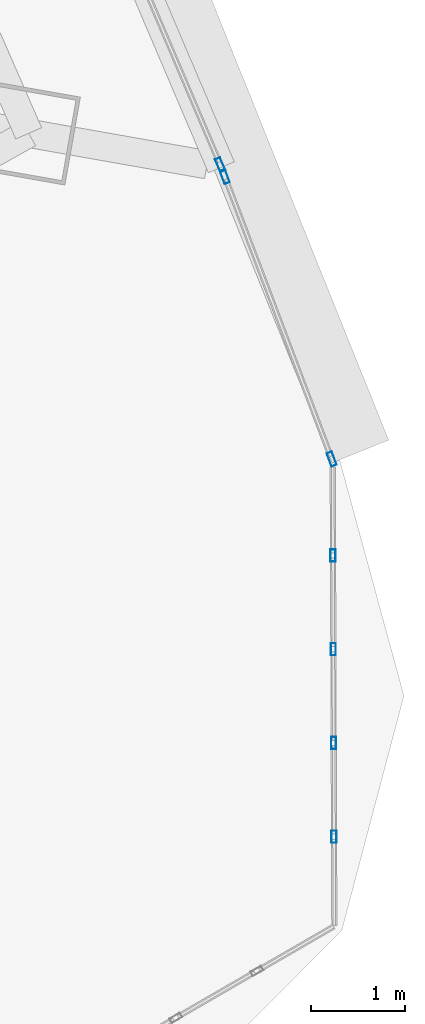
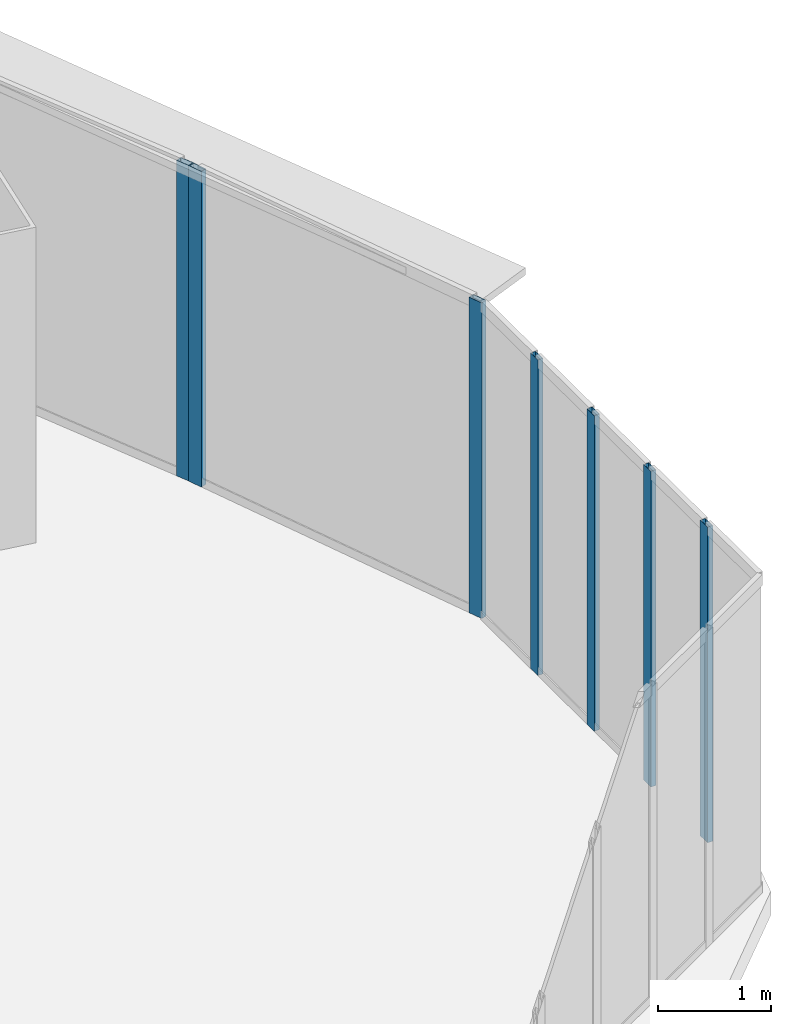
# One storey, part 24 of 42: 7 members, 3 elements without a shape of their own.
"""IFC4 building model written with IfcOpenShell, lengths in metres."""

from ifc_helpers import new_model, si_unit, direction, frame, origin, origin_2d, place, context, subcontext, project, spatial, hollow_rectangle, extrude, source, transform, mapped, material, layer, layer_set, material_profile, profile_set, type_object, element, aggregate, save


model = new_model("IFC4")

# Units and contexts
model_context = context("Model", 3, precision=1e-05, world=origin(), true_north=direction((0.0, 1.0)))
body_context = subcontext(model_context, "Body", "Model", "MODEL_VIEW")
ifc_project = project(units=[si_unit("LENGTHUNIT", "METRE"), si_unit("AREAUNIT", "SQUARE_METRE"), si_unit("VOLUMEUNIT", "CUBIC_METRE"), si_unit("PLANEANGLEUNIT", "RADIAN"), si_unit("MASSUNIT", "GRAM", prefix="KILO"), si_unit("THERMODYNAMICTEMPERATUREUNIT", "KELVIN"), si_unit("POWERUNIT", "WATT")], contexts=[model_context])

# Site, building, storey
site_placement = place(None, origin())
site = spatial("IfcSite", under=ifc_project, at=site_placement, CompositionType="ELEMENT")
building_placement = place(site_placement, origin())
building = spatial("IfcBuilding", under=site, at=building_placement, Name="Yunzhuo Pagoda Commons", CompositionType="ELEMENT")
storey_placement = place(building_placement, frame((0.0, 0.0, 137.18994140625)))
storey = spatial("IfcBuildingStorey", under=building, at=storey_placement, Name="L34", CompositionType="ELEMENT", Elevation=137.18994140625)

# Curtain wall, member
ifc_material = material(Name="Anodized aluminium 6063-T6", Category="aluminium")
ifc_layer_1 = layer(ifc_material, 0.14990234375)
ifc_layer_set_1 = layer_set([ifc_layer_1], Name="Anodized aluminium 6063-T6")
curtain_wall_type_1 = type_object("IfcCurtainWallType", Name="CW-MID Mid-Zone Ribbon Curtain Wall", PredefinedType="NOTDEFINED", material=ifc_layer_set_1)
curtain_wall_1_placement = place(storey_placement, origin())
curtain_wall_1 = element("IfcCurtainWall", 1, at=curtain_wall_1_placement, inside=storey, type_object=curtain_wall_type_1, Name="L34 curtain wall CW-L34-F2B2", PredefinedType="NOTDEFINED")
ifc_material_profile_1 = material_profile(ifc_material, hollow_rectangle(XDim=0.06005859375, YDim=0.14990234375, WallThickness=0.00390625, at=origin_2d()), Name="Anodized aluminium 6063-T6")
ifc_profile_set_1 = profile_set([ifc_material_profile_1], Name="Anodized aluminium 6063-T6")
member_type_1 = type_object("IfcMemberType", Name="CW-MID-M Mullion RHS 150x60x4", PredefinedType="MULLION", material=ifc_profile_set_1)
shared_shape_1 = source(origin(), body_context, "Body", "SweptSolid", [
    extrude(hollow_rectangle(XDim=0.06005859375, YDim=0.14990234375, WallThickness=0.00390625, at=origin_2d()), origin(), (0.0, 0.0, 1.0), 3.420166015625),
])
member_1_placement = place(storey_placement, frame((87.0361328125, 26.84228515625, 0.0), z_axis=(0.0, 0.0, 1.0), x_axis=(-0.919928137274, -0.392087008522, 0.0)))
member_1 = element("IfcMember", 2, at=member_1_placement, type_object=member_type_1, Name="CW mullion 1", PredefinedType="MULLION", context=body_context, shape_type="MappedRepresentation", body=[
    mapped(shared_shape_1, transform((0.0, 0.0, 0.0), scale=1.0)),
])
aggregate(curtain_wall_1, [member_1])

# Curtain wall, members
curtain_wall_2_placement = place(storey_placement, origin())
curtain_wall_2 = element("IfcCurtainWall", 3, at=curtain_wall_2_placement, inside=storey, type_object=curtain_wall_type_1, Name="L34 curtain wall CW-L34-F2B1", PredefinedType="NOTDEFINED")
member_2_placement = place(storey_placement, frame((88.222900390625, 23.708740234375, 0.0), z_axis=(0.0, 0.0, 1.0), x_axis=(-0.935321752827, -0.353798274003, 0.0)))
member_2 = element("IfcMember", 4, at=member_2_placement, type_object=member_type_1, Name="CW mullion 1", PredefinedType="MULLION", context=body_context, shape_type="MappedRepresentation", body=[
    mapped(shared_shape_1, transform((0.0, 0.0, 0.0), scale=1.0)),
])
member_3_placement = place(storey_placement, frame((87.0849609375, 26.716552734375, 0.0), z_axis=(0.0, 0.0, 1.0), x_axis=(-0.935321752827, -0.353798274003, 0.0)))
member_3 = element("IfcMember", 5, at=member_3_placement, type_object=member_type_1, Name="CW mullion 2", PredefinedType="MULLION", context=body_context, shape_type="MappedRepresentation", body=[
    mapped(shared_shape_1, transform((0.0, 0.0, 0.0), scale=1.0)),
])
aggregate(curtain_wall_2, [member_2, member_3])

ifc_layer_2 = layer(ifc_material, 0.1298828125)
ifc_layer_set_2 = layer_set([ifc_layer_2], Name="Anodized aluminium 6063-T6")
curtain_wall_type_2 = type_object("IfcCurtainWallType", Name="CW-VTX Rounded Corner Curtain Wall", PredefinedType="NOTDEFINED", material=ifc_layer_set_2)
curtain_wall_3_placement = place(storey_placement, origin())
curtain_wall_3 = element("IfcCurtainWall", 6, at=curtain_wall_3_placement, inside=storey, type_object=curtain_wall_type_2, Name="L34 curtain wall CW-L34-VTX2S2", PredefinedType="NOTDEFINED")
ifc_material_profile_2 = material_profile(ifc_material, hollow_rectangle(XDim=0.054931640625, YDim=0.1298828125, WallThickness=0.00341796875, at=origin_2d()), Name="Anodized aluminium 6063-T6")
ifc_profile_set_2 = profile_set([ifc_material_profile_2], Name="Anodized aluminium 6063-T6")
member_type_2 = type_object("IfcMemberType", Name="CW-VTX-M Mullion RHS 130x55x3.5", PredefinedType="MULLION", material=ifc_profile_set_2)
shared_shape_2 = source(origin(), body_context, "Body", "SweptSolid", [
    extrude(hollow_rectangle(XDim=0.054931640625, YDim=0.1298828125, WallThickness=0.00341796875, at=origin_2d()), origin(), (0.0, 0.0, 1.0), 3.420166015625),
])
member_4_placement = place(storey_placement, frame((88.247802734375, 19.68798828125, 0.0), z_axis=(0.0, 0.0, 1.0), x_axis=(-0.999993568215, -0.003586576275, 0.0)))
member_4 = element("IfcMember", 7, at=member_4_placement, type_object=member_type_2, Name="CW mullion 2", PredefinedType="MULLION", context=body_context, shape_type="MappedRepresentation", body=[
    mapped(shared_shape_2, transform((0.0, 0.0, 0.0), scale=1.0)),
])
member_5_placement = place(storey_placement, frame((88.244140625, 20.686279296875, 0.0), z_axis=(0.0, 0.0, 1.0), x_axis=(-0.999993568215, -0.003586576275, 0.0)))
member_5 = element("IfcMember", 8, at=member_5_placement, type_object=member_type_2, Name="CW mullion 3", PredefinedType="MULLION", context=body_context, shape_type="MappedRepresentation", body=[
    mapped(shared_shape_2, transform((0.0, 0.0, 0.0), scale=1.0)),
])
member_6_placement = place(storey_placement, frame((88.24072265625, 21.684326171875, 0.0), z_axis=(0.0, 0.0, 1.0), x_axis=(-0.999993568215, -0.003586576275, 0.0)))
member_6 = element("IfcMember", 9, at=member_6_placement, type_object=member_type_2, Name="CW mullion 4", PredefinedType="MULLION", context=body_context, shape_type="MappedRepresentation", body=[
    mapped(shared_shape_2, transform((0.0, 0.0, 0.0), scale=1.0)),
])
member_7_placement = place(storey_placement, frame((88.2373046875, 22.6826171875, 0.0), z_axis=(0.0, 0.0, 1.0), x_axis=(-0.999993568215, -0.003586576275, 0.0)))
member_7 = element("IfcMember", 10, at=member_7_placement, type_object=member_type_2, Name="CW mullion 5", PredefinedType="MULLION", context=body_context, shape_type="MappedRepresentation", body=[
    mapped(shared_shape_2, transform((0.0, 0.0, 0.0), scale=1.0)),
])
aggregate(curtain_wall_3, [member_4, member_5, member_6, member_7])

save(model, "model.ifc")
